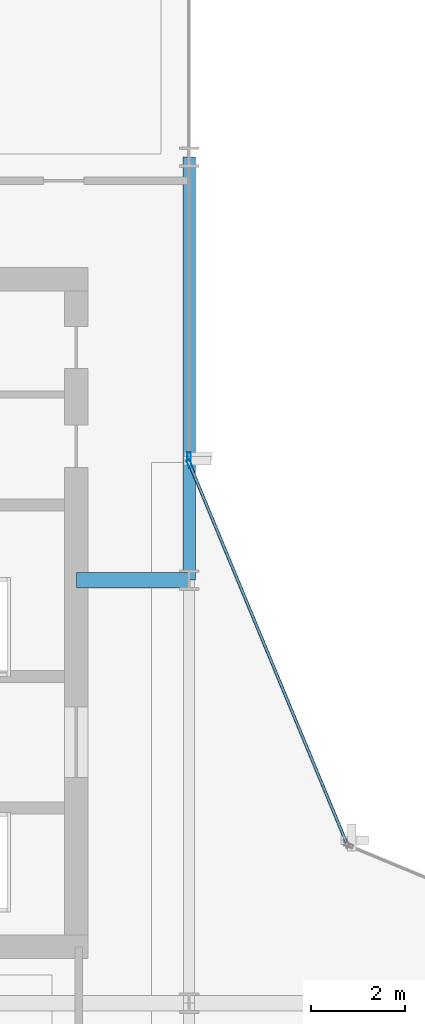
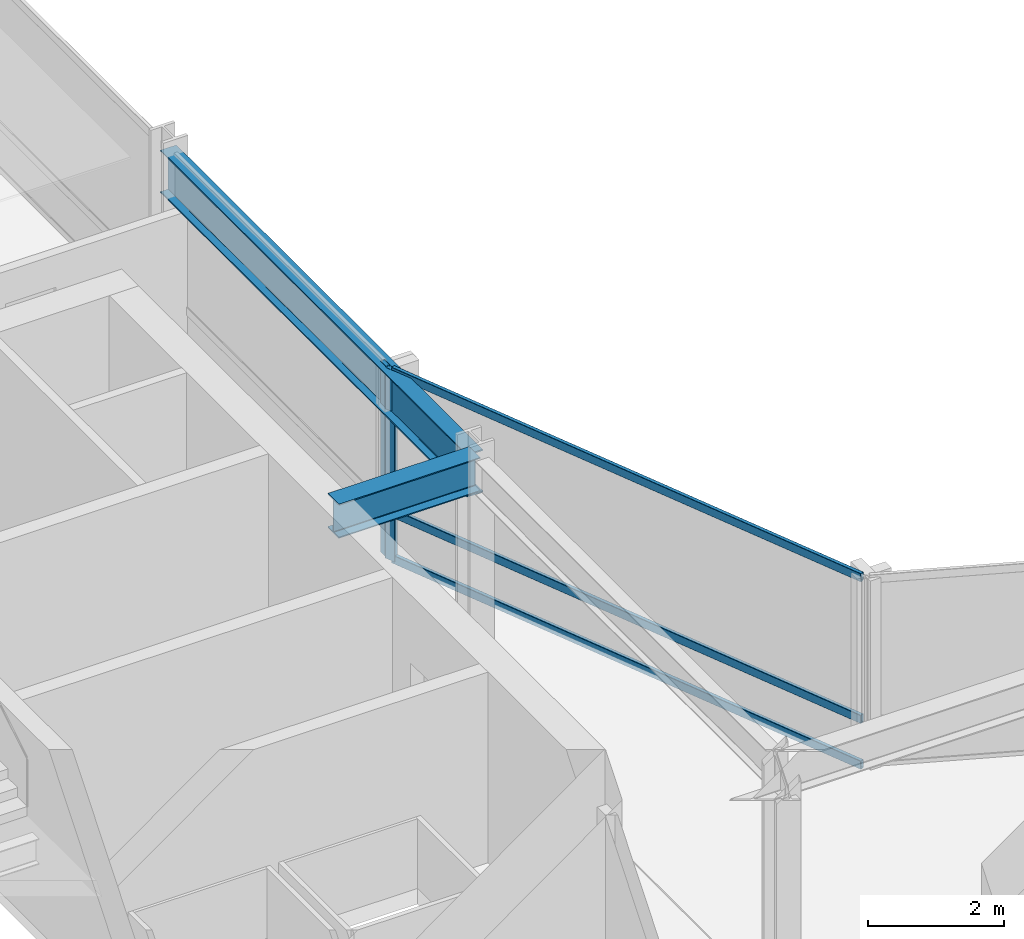
# One storey, part 17 of 28: 5 members, 2 beams, 2 elements without a shape of their own.
"""IFC4 building model written with IfcOpenShell, lengths in metres."""

from ifc_helpers import new_model, si_unit, direction, frame, origin, origin_2d, place, context, subcontext, project, spatial, hollow_rectangle, i_section, extrude, material, layer, layer_set, material_profile, profile_set, type_object, element, aggregate, save


model = new_model("IFC4")

# Units and contexts
model_context = context("Model", 3, precision=1e-05, world=origin(), true_north=direction((0.0, 1.0)))
body_context = subcontext(model_context, "Body", "Model", "MODEL_VIEW")
ifc_project = project(units=[si_unit("LENGTHUNIT", "METRE"), si_unit("AREAUNIT", "SQUARE_METRE"), si_unit("VOLUMEUNIT", "CUBIC_METRE"), si_unit("PLANEANGLEUNIT", "RADIAN"), si_unit("MASSUNIT", "GRAM", prefix="KILO")], contexts=[model_context])

# Site, building, storey
site_placement = place(None, origin())
site = spatial("IfcSite", under=ifc_project, at=site_placement, CompositionType="ELEMENT")
building_placement = place(site_placement, origin())
building = spatial("IfcBuilding", under=site, at=building_placement, Name="Solvaryn Broadcast Tower", CompositionType="ELEMENT")
storey_placement = place(building_placement, frame((0.0, 0.0, 158.10009765625)))
storey = spatial("IfcBuildingStorey", under=building, at=storey_placement, Name="L39", CompositionType="ELEMENT", Elevation=158.10009765625)

# Beams
ifc_material_1 = material(Name="Steel ASTM A992 Grade 50", Category="steel")
ifc_material_profile_1 = material_profile(ifc_material_1, i_section(OverallWidth=0.323974609375, OverallDepth=0.611083984375, WebThickness=0.0126953125, FlangeThickness=0.01904296875, FilletRadius=0.014892578125, at=origin_2d()))
ifc_profile_set_1 = profile_set([ifc_material_profile_1], Name="Steel ASTM A992 Grade 50")
beam_type_1 = type_object("IfcBeamType", Name="BM-B1-W24X104", PredefinedType="BEAM", material=ifc_profile_set_1)
beam_1_placement = place(storey_placement, frame((24.60009765625, 36.0, 3.114501953125), z_axis=(1.0, 0.0, 0.0), x_axis=(0.0, 1.0, 0.0)))
element("IfcBeam", 1, at=beam_1_placement, inside=storey, type_object=beam_type_1, Name="L39 Core Tie Beam CTW2", PredefinedType="BEAM", context=body_context, shape_type="SweptSolid", body=[
    extrude(i_section(OverallWidth=0.323974609375, OverallDepth=0.611083984375, WebThickness=0.0126953125, FlangeThickness=0.01904296875, FilletRadius=0.014892578125, at=origin_2d()), origin(), (0.0, 0.0, 1.0), 2.39990234375),
])
ifc_material_2 = material(Name="Steel ASTM A992 Grade 50", Category="steel")
ifc_material_profile_2 = material_profile(ifc_material_2, i_section(OverallWidth=0.26708984375, OverallDepth=0.76611328125, WebThickness=0.014892578125, FlangeThickness=0.023681640625, FilletRadius=0.01806640625, at=origin_2d()))
ifc_profile_set_2 = profile_set([ifc_material_profile_2], Name="Steel ASTM A992 Grade 50")
beam_type_2 = type_object("IfcBeamType", Name="BM-SP2-W30X124", PredefinedType="USERDEFINED", material=ifc_profile_set_2)
beam_2_placement = place(storey_placement, frame((27.0, 36.0, 3.036865234375), z_axis=(0.0, 1.0, 0.0), x_axis=(-1.0, 0.0, 0.0)))
element("IfcBeam", 2, at=beam_2_placement, inside=storey, type_object=beam_type_2, Name="L39 Spandrel Beam Y (36-45 @ X=27)", ObjectType="SPANDREL", PredefinedType="USERDEFINED", context=body_context, shape_type="SweptSolid", body=[
    extrude(i_section(OverallWidth=0.26708984375, OverallDepth=0.76611328125, WebThickness=0.014892578125, FlangeThickness=0.023681640625, FilletRadius=0.01806640625, at=origin_2d()), origin(), (0.0, 0.0, 1.0), 9.0),
])

# Curtain wall, member
ifc_material_3 = material(Name="Aluminium and Terracotta Unitised Curtain Wall", Category="masonry")
ifc_layer = layer(ifc_material_3, 0.199951171875)
ifc_layer_set = layer_set([ifc_layer], Name="CW-SYS2-LOWMID")
curtain_wall_type = type_object("IfcCurtainWallType", Name="CW-SYS2-LOWMID", PredefinedType="NOTDEFINED", material=ifc_layer_set)
curtain_wall_1_placement = place(storey_placement, origin())
curtain_wall_1 = element("IfcCurtainWall", 3, at=curtain_wall_1_placement, inside=storey, type_object=curtain_wall_type, Name="L39 Curtain Wall IV", PredefinedType="NOTDEFINED")
ifc_material_4 = material(Name="Anodised Aluminium 6063-T6", Category="aluminium")
ifc_material_profile_3 = material_profile(ifc_material_4, hollow_rectangle(XDim=0.074951171875, YDim=0.179931640625, WallThickness=0.00390625, InnerFilletRadius=0.00390625, OuterFilletRadius=0.008056640625, at=origin_2d()))
ifc_profile_set_3 = profile_set([ifc_material_profile_3], Name="Anodised Aluminium 6063-T6")
member_type_1 = type_object("IfcMemberType", Name="CW-MUL-180", PredefinedType="MULLION", material=ifc_profile_set_3)
member_1_placement = place(storey_placement, frame((27.0, 38.6298828125, 0.0), z_axis=(0.0, 0.0, 1.0), x_axis=(1.0, 0.0, 0.0)))
member_1 = element("IfcMember", 4, at=member_1_placement, type_object=member_type_1, Name="CWS2 mullion 2", PredefinedType="MULLION", context=body_context, shape_type="SweptSolid", body=[
    extrude(hollow_rectangle(XDim=0.074951171875, YDim=0.179931640625, WallThickness=0.00390625, InnerFilletRadius=0.00390625, OuterFilletRadius=0.008056640625, at=origin_2d()), origin(), (0.0, 0.0, 1.0), 3.419921875),
])
aggregate(curtain_wall_1, [member_1])

# Curtain wall, members
curtain_wall_2_placement = place(storey_placement, origin())
curtain_wall_2 = element("IfcCurtainWall", 5, at=curtain_wall_2_placement, inside=storey, type_object=curtain_wall_type, Name="L39 Curtain Wall CN2", PredefinedType="NOTDEFINED")
member_2_placement = place(storey_placement, frame((27.011474609375, 38.47216796875, 0.0), z_axis=(0.0, 0.0, 1.0), x_axis=(-0.923894983957, -0.382646127145, 0.0)))
member_2 = element("IfcMember", 6, at=member_2_placement, type_object=member_type_1, Name="CWS2 mullion 2", PredefinedType="MULLION", context=body_context, shape_type="SweptSolid", body=[
    extrude(hollow_rectangle(XDim=0.074951171875, YDim=0.179931640625, WallThickness=0.00390625, InnerFilletRadius=0.00390625, OuterFilletRadius=0.008056640625, at=origin_2d()), origin(), (0.0, 0.0, 1.0), 3.419921875),
])
ifc_material_5 = material(Name="Anodised Aluminium 6063-T6", Category="aluminium")
ifc_material_profile_4 = material_profile(ifc_material_5, hollow_rectangle(XDim=0.06494140625, YDim=0.14990234375, WallThickness=0.00390625, InnerFilletRadius=0.00390625, OuterFilletRadius=0.008056640625, at=origin_2d()))
ifc_profile_set_4 = profile_set([ifc_material_profile_4], Name="Anodised Aluminium 6063-T6")
member_type_2 = type_object("IfcMemberType", Name="CW-TRN-150", PredefinedType="USERDEFINED", material=ifc_profile_set_4)
member_3_placement = place(storey_placement, frame((30.344970703125, 30.42333984375, 0.02978515625), z_axis=(-0.382635748975, 0.923899282177, 0.0), x_axis=(-0.923899282177, -0.382635748975, 0.0)))
member_3 = element("IfcMember", 7, at=member_3_placement, type_object=member_type_2, Name="CWS2 transom 1.1", ObjectType="TRANSOM", PredefinedType="USERDEFINED", context=body_context, shape_type="SweptSolid", body=[
    extrude(hollow_rectangle(XDim=0.06494140625, YDim=0.14990234375, WallThickness=0.00390625, InnerFilletRadius=0.00390625, OuterFilletRadius=0.008056640625, at=origin_2d()), origin(), (0.0, 0.0, 1.0), 8.681884765625),
])
member_4_placement = place(storey_placement, frame((30.344970703125, 30.42333984375, 0.849853515625), z_axis=(-0.382635748975, 0.923899282177, 0.0), x_axis=(-0.923899282177, -0.382635748975, 0.0)))
member_4 = element("IfcMember", 8, at=member_4_placement, type_object=member_type_2, Name="CWS2 transom 1.2", ObjectType="TRANSOM", PredefinedType="USERDEFINED", context=body_context, shape_type="SweptSolid", body=[
    extrude(hollow_rectangle(XDim=0.06494140625, YDim=0.14990234375, WallThickness=0.00390625, InnerFilletRadius=0.00390625, OuterFilletRadius=0.008056640625, at=origin_2d()), origin(), (0.0, 0.0, 1.0), 8.681884765625),
])
member_5_placement = place(storey_placement, frame((30.344970703125, 30.42333984375, 3.389892578125), z_axis=(-0.382635748975, 0.923899282177, 0.0), x_axis=(-0.923899282177, -0.382635748975, 0.0)))
member_5 = element("IfcMember", 9, at=member_5_placement, type_object=member_type_2, Name="CWS2 transom 1.3", ObjectType="TRANSOM", PredefinedType="USERDEFINED", context=body_context, shape_type="SweptSolid", body=[
    extrude(hollow_rectangle(XDim=0.06494140625, YDim=0.14990234375, WallThickness=0.00390625, InnerFilletRadius=0.00390625, OuterFilletRadius=0.008056640625, at=origin_2d()), origin(), (0.0, 0.0, 1.0), 8.681884765625),
])
aggregate(curtain_wall_2, [member_2, member_3, member_4, member_5])

save(model, "model.ifc")
